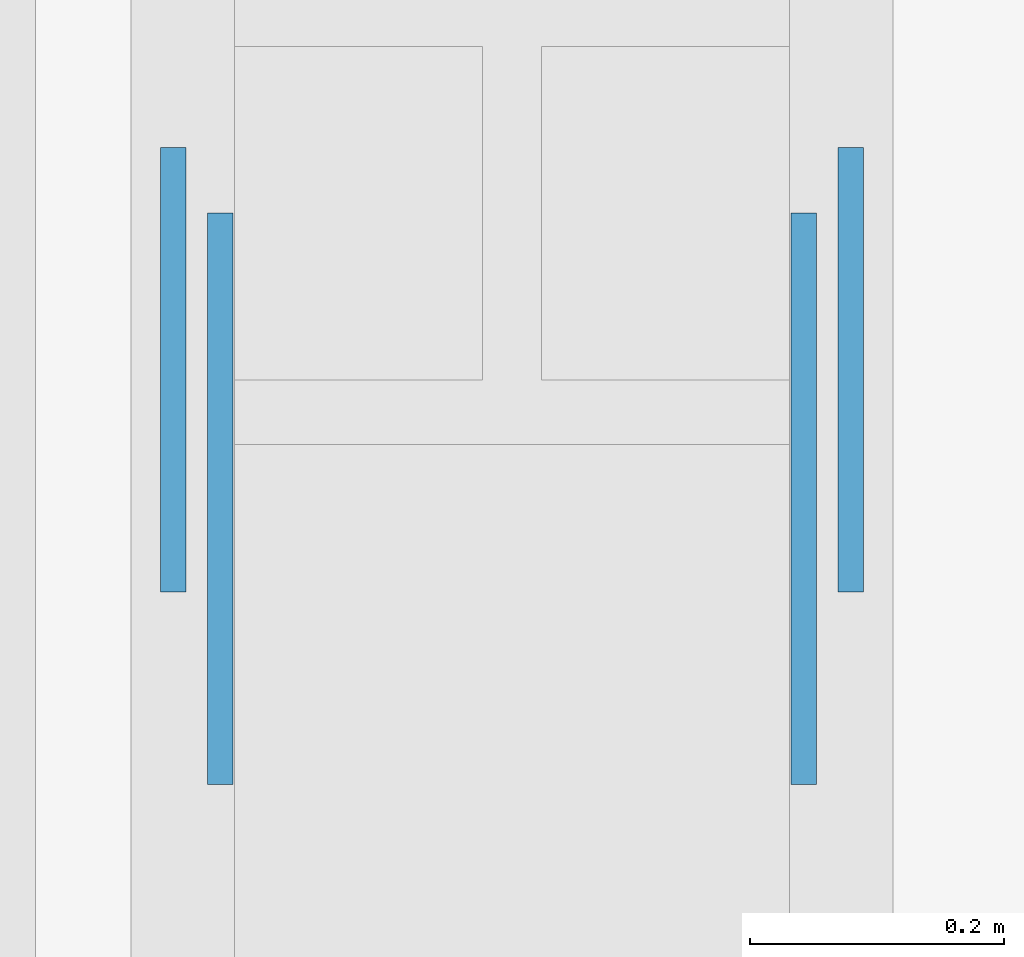
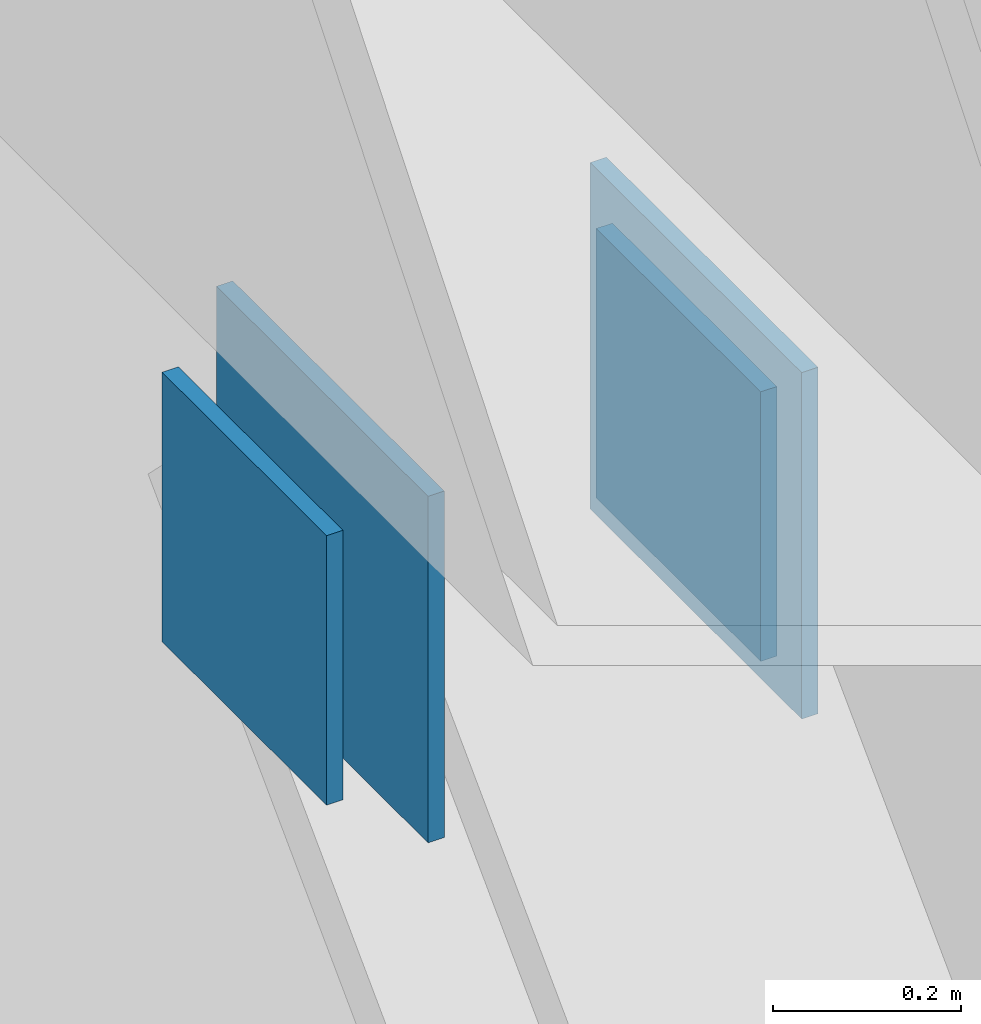
# One storey, part 19 of 25: 4 discrete accessories.
"""IFC4 building model written with IfcOpenShell, lengths in metres."""

from ifc_helpers import new_model, si_unit, direction, frame, origin, origin_2d, place, context, subcontext, project, spatial, rectangle, extrude, element, save


model = new_model("IFC4")

# Units and contexts
model_context = context("Model", 3, precision=1e-05, world=origin(), true_north=direction((0.0, 1.0)))
body_context = subcontext(model_context, "Body", "Model", "MODEL_VIEW")
ifc_project = project(units=[si_unit("LENGTHUNIT", "METRE"), si_unit("AREAUNIT", "SQUARE_METRE"), si_unit("VOLUMEUNIT", "CUBIC_METRE"), si_unit("PLANEANGLEUNIT", "RADIAN"), si_unit("MASSUNIT", "GRAM", prefix="KILO")], contexts=[model_context])

# Site, building, storey
site_placement = place(None, origin())
site = spatial("IfcSite", under=ifc_project, at=site_placement, CompositionType="ELEMENT")
building_placement = place(site_placement, origin())
building = spatial("IfcBuilding", under=site, at=building_placement, Name="Vidyagriha Tower", CompositionType="ELEMENT")
storey_placement = place(building_placement, frame((0.0, 0.0, 115.89990234375)))
storey = spatial("IfcBuildingStorey", under=building, at=storey_placement, Name="L29", CompositionType="ELEMENT", Elevation=115.89990234375)

# Discrete accessories
for number, where, z_axis, x_axis, name in (
    (1, (-33.7294921875, 13.99560546875, 2.3701171875), (0.0, 0.0, 1.0), (0.0, 1.0, 0.0), "Truss gusset plate ASTM A572 Grade 50 20mm"),
    (2, (-33.2705078125, 13.99560546875, 2.3701171875), (0.0, 0.0, 1.0), (0.0, 1.0, 0.0), "Truss gusset plate ASTM A572 Grade 50 20mm"),
):
    element("IfcDiscreteAccessory", number, at=place(storey_placement, frame(where, z_axis=z_axis, x_axis=x_axis)), inside=storey, Name=name, ObjectType="GUSSET PLATE", PredefinedType="USERDEFINED", context=body_context, shape_type="SweptSolid", body=[
        extrude(rectangle(XDim=0.449951171875, YDim=0.02001953125, at=origin_2d()), origin(), (0.0, 0.0, 1.0), 0.449951171875),
    ])
for number, where, z_axis, x_axis, name in (
    (3, (-33.7666015625, 14.09716796875, 2.340087890625), (0.0, 0.0, 1.0), (0.0, 1.0, 0.0), "End plate ASTM A572 Grade 50 20mm"),
    (4, (-33.2333984375, 14.09716796875, 2.340087890625), (0.0, 0.0, 1.0), (0.0, 1.0, 0.0), "End plate ASTM A572 Grade 50 20mm"),
):
    element("IfcDiscreteAccessory", number, at=place(storey_placement, frame(where, z_axis=z_axis, x_axis=x_axis)), inside=storey, Name=name, ObjectType="END PLATE", PredefinedType="USERDEFINED", context=body_context, shape_type="SweptSolid", body=[
        extrude(rectangle(XDim=0.35009765625, YDim=0.02001953125, at=origin_2d()), origin(), (0.0, 0.0, 1.0), 0.35009765625),
    ])

save(model, "model.ifc")
